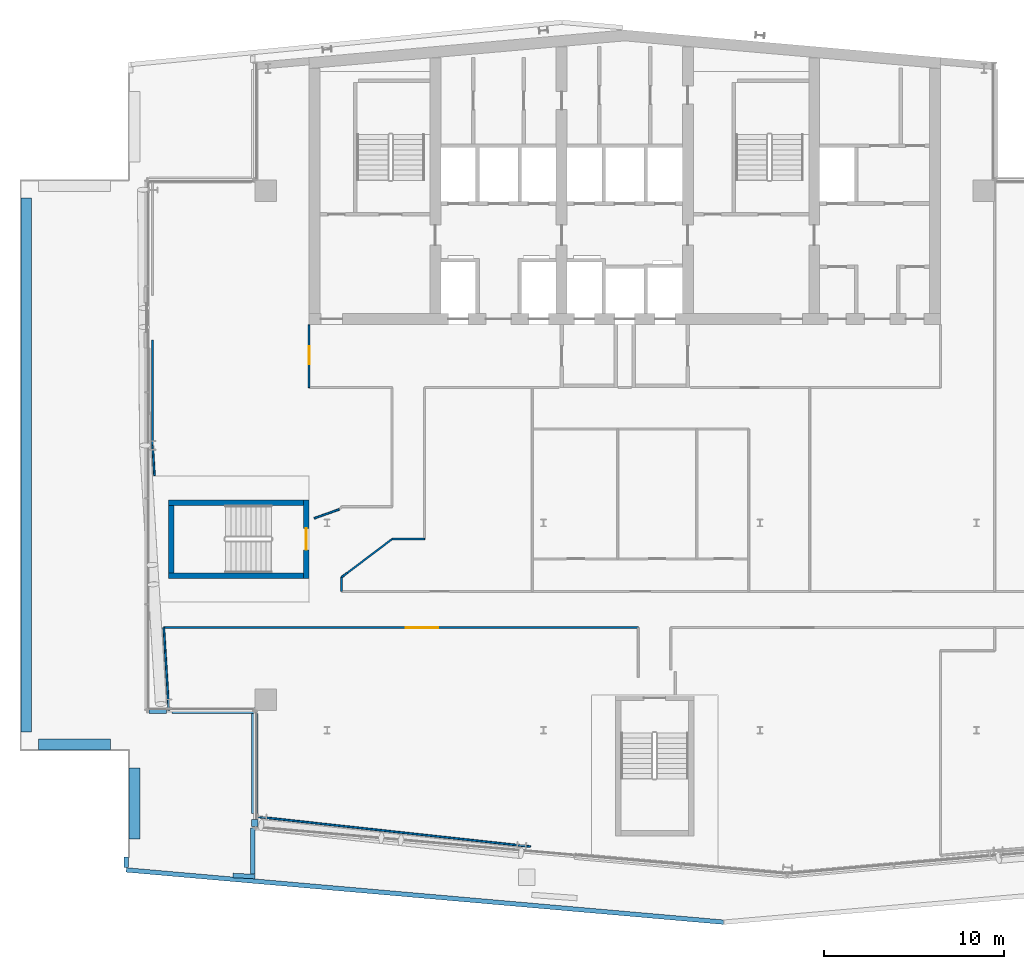
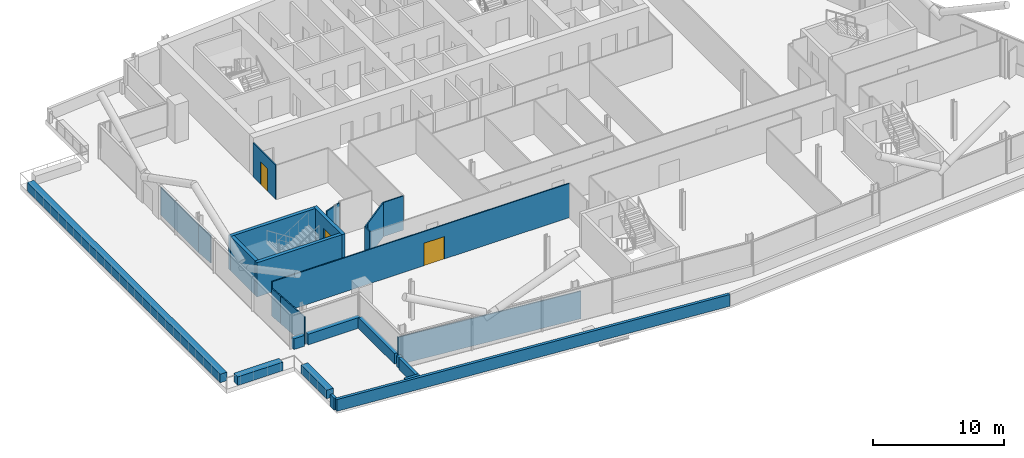
# One storey, part 12 of 27: 27 walls, 3 doors, 3 openings.
"""IFC4 building model written with IfcOpenShell, lengths in metres."""

from ifc_helpers import new_model, si_unit, direction, frame, frame_2d, origin, place, context, subcontext, project, spatial, rectangle, extrude, material, layer, layer_set, type_object, element, fill, save


model = new_model("IFC4")

# Units and contexts
model_context = context("Model", 3, precision=1e-05, world=origin(), true_north=direction((0.0, 1.0)))
body_context = subcontext(model_context, "Body", "Model", "MODEL_VIEW")
ifc_project = project(units=[si_unit("LENGTHUNIT", "METRE"), si_unit("AREAUNIT", "SQUARE_METRE"), si_unit("VOLUMEUNIT", "CUBIC_METRE"), si_unit("PLANEANGLEUNIT", "RADIAN"), si_unit("MASSUNIT", "GRAM", prefix="KILO")], contexts=[model_context])

# Site, building, storey
site_placement = place(None, origin())
site = spatial("IfcSite", under=ifc_project, at=site_placement, CompositionType="ELEMENT")
building_placement = place(site_placement, origin())
building = spatial("IfcBuilding", under=site, at=building_placement, Name="Wharfspan Tower", CompositionType="ELEMENT")
storey_placement = place(building_placement, frame((0.0, 0.0, 207.100098)))
storey = spatial("IfcBuildingStorey", under=building, at=storey_placement, Name="L51", CompositionType="ELEMENT", Elevation=207.100098)

# Wall, opening, door
ifc_material_1 = material(Name="Gypsum board on steel studs", Category="steel")
ifc_layer_1 = layer(ifc_material_1, 0.100098)
ifc_layer_set_1 = layer_set([ifc_layer_1], Name="Gypsum board on steel studs")
wall_type_1 = type_object("IfcWallType", Name="Compartment wall 100 EI 60", PredefinedType="PARTITIONING", material=ifc_layer_set_1)
wall_1_placement = place(storey_placement, frame((14.945068, 17.195068, 0.0), z_axis=(0.0, 0.0, 1.0), x_axis=(1.0, 0.0, 0.0)))
wall_1 = element("IfcWall", 1, at=wall_1_placement, inside=storey, type_object=wall_type_1, Name="Partition L51.w004", PredefinedType="PARTITIONING", context=body_context, shape_type="SweptSolid", body=[
    extrude(rectangle(XDim=26.304932, YDim=0.100098, at=frame_2d((13.152344, 0.0))), origin(), (0.0, 0.0, 1.0), 3.199951),
])
opening_1_placement = place(wall_1_placement, frame((13.419922, 0.0, 0.0)))
opening_1 = element("IfcOpeningElement", 2, at=opening_1_placement, cuts=wall_1, Name="Opening D1-01", PredefinedType="OPENING", context=body_context, shape_type="SweptSolid", body=[
    extrude(rectangle(XDim=1.800049, YDim=2.100098, at=frame_2d((0.899902, 1.050049))), frame((0.0, 0.060059, 0.0), z_axis=(0.0, -1.0, 0.0), x_axis=(1.0, 0.0, 0.0)), (0.0, 0.0, 1.0), 0.120117),
])
ifc_material_2 = material(Name="Fire-rated timber door leaf in steel frame", Category="steel")
door_type_1 = type_object("IfcDoorType", Name="Door 1800 FD30S Double", OperationType="DOUBLE_DOOR_SINGLE_SWING", PredefinedType="DOOR", material=ifc_material_2)
door_1_placement = place(opening_1_placement, origin())
door_1 = element("IfcDoor", 3, at=door_1_placement, inside=storey, type_object=door_type_1, Name="Door D1-01", OperationType="DOUBLE_DOOR_SINGLE_SWING", OverallHeight=2.100098, OverallWidth=1.800049, PredefinedType="DOOR", context=body_context, shape_type="SweptSolid", body=[
    extrude(rectangle(XDim=1.800049, YDim=2.100098, at=frame_2d((0.899902, 1.050049))), frame((0.0, 0.024902, 0.0), z_axis=(0.0, -1.0, 0.0), x_axis=(1.0, 0.0, 0.0)), (0.0, 0.0, 1.0), 0.050049),
])
fill(opening_1, door_1)

# Wall
wall_2_placement = place(storey_placement, frame((15.024902, 15.915039, 0.0), z_axis=(0.0, 0.0, 1.0), x_axis=(-0.062248, 0.998062, 0.0)))
element("IfcWall", 4, at=wall_2_placement, inside=storey, type_object=wall_type_1, Name="Partition L51.w005", PredefinedType="PARTITIONING", context=body_context, shape_type="SweptSolid", body=[
    extrude(rectangle(XDim=1.282471, YDim=0.100098, at=frame_2d((0.641113, 0.0))), origin(), (0.0, 0.0, 1.0), 2.579834),
])

# Wall, opening, door
wall_3_placement = place(storey_placement, frame((23.0, 30.5, 0.0), z_axis=(0.0, 0.0, 1.0), x_axis=(0.0, 1.0, 0.0)))
wall_3 = element("IfcWall", 5, at=wall_3_placement, inside=storey, type_object=wall_type_1, Name="Partition L51.w007", PredefinedType="PARTITIONING", context=body_context, shape_type="SweptSolid", body=[
    extrude(rectangle(XDim=3.47998, YDim=0.100098, at=frame_2d((1.73999, 0.0))), origin(), (0.0, 0.0, 1.0), 3.199951),
])
opening_2_placement = place(wall_3_placement, frame((1.280029, 0.0, 0.0)))
opening_2 = element("IfcOpeningElement", 6, at=opening_2_placement, cuts=wall_3, Name="Opening D1-14", PredefinedType="OPENING", context=body_context, shape_type="SweptSolid", body=[
    extrude(rectangle(XDim=1.0, YDim=2.100098, at=frame_2d((0.5, 1.050049))), frame((0.0, 0.060059, 0.0), z_axis=(0.0, -1.0, 0.0), x_axis=(1.0, 0.0, 0.0)), (0.0, 0.0, 1.0), 0.120117),
])
door_type_2 = type_object("IfcDoorType", Name="Door 1000 FD30S Right", OperationType="SINGLE_SWING_RIGHT", PredefinedType="DOOR", material=ifc_material_2)
door_2_placement = place(opening_2_placement, origin())
door_2 = element("IfcDoor", 7, at=door_2_placement, inside=storey, type_object=door_type_2, Name="Door D1-14", OperationType="SINGLE_SWING_RIGHT", OverallHeight=2.100098, OverallWidth=1.0, PredefinedType="DOOR", context=body_context, shape_type="SweptSolid", body=[
    extrude(rectangle(XDim=1.0, YDim=2.100098, at=frame_2d((0.5, 1.050049))), frame((0.0, 0.024902, 0.0), z_axis=(0.0, -1.0, 0.0), x_axis=(1.0, 0.0, 0.0)), (0.0, 0.0, 1.0), 0.050049),
])
fill(opening_2, door_2)

# Walls
wall_4_placement = place(storey_placement, frame((23.284912, 23.25, 0.0), z_axis=(0.0, 0.0, 1.0), x_axis=(0.940585, 0.339559, 0.0)))
element("IfcWall", 8, at=wall_4_placement, inside=storey, type_object=wall_type_1, Name="Partition L51.w009", PredefinedType="PARTITIONING", context=body_context, shape_type="SweptSolid", body=[
    extrude(rectangle(XDim=1.472412, YDim=0.100098, at=frame_2d((0.736328, 0.0))), origin(), (0.0, 0.0, 1.0), 3.199951),
])
wall_5_placement = place(storey_placement, frame((24.800049, 19.205078, 0.0), z_axis=(0.0, 0.0, 1.0), x_axis=(0.0, 1.0, 0.0)))
element("IfcWall", 9, at=wall_5_placement, inside=storey, type_object=wall_type_1, Name="Partition L51.w011", PredefinedType="PARTITIONING", context=body_context, shape_type="SweptSolid", body=[
    extrude(rectangle(XDim=0.774902, YDim=0.100098, at=frame_2d((0.387451, 0.0))), origin(), (0.0, 0.0, 1.0), 3.199951),
])
wall_6_placement = place(storey_placement, frame((24.800049, 19.985107, 0.0), z_axis=(0.0, 0.0, 1.0), x_axis=(0.795388, 0.606098, 0.0)))
element("IfcWall", 10, at=wall_6_placement, inside=storey, type_object=wall_type_1, Name="Partition L51.w012", PredefinedType="PARTITIONING", context=body_context, shape_type="SweptSolid", body=[
    extrude(rectangle(XDim=0.395996, YDim=0.100098, at=frame_2d((0.197998, 0.0))), origin(), (0.0, 0.0, 1.0), 3.199951),
])
wall_7_placement = place(storey_placement, frame((25.125, 20.22998, 0.0), z_axis=(0.0, 0.0, 1.0), x_axis=(0.797858, 0.60284, 0.0)))
element("IfcWall", 11, at=wall_7_placement, inside=storey, type_object=wall_type_1, Name="Partition L51.w015", PredefinedType="PARTITIONING", context=body_context, shape_type="SweptSolid", body=[
    extrude(rectangle(XDim=3.102051, YDim=0.100098, at=frame_2d((1.551025, 0.0))), origin(), (0.0, 0.0, 1.0), 3.199951),
])
wall_8_placement = place(storey_placement, frame((27.600098, 22.100098, 0.0), z_axis=(0.0, 0.0, 1.0), x_axis=(1.0, 0.0, 0.0)))
element("IfcWall", 12, at=wall_8_placement, inside=storey, type_object=wall_type_1, Name="Partition L51.w017", PredefinedType="PARTITIONING", context=body_context, shape_type="SweptSolid", body=[
    extrude(rectangle(XDim=1.799805, YDim=0.100098, at=frame_2d((0.899902, 0.0))), origin(), (0.0, 0.0, 1.0), 3.199951),
])
ifc_material_3 = material(Name="Concrete C40/50", Category="concrete")
ifc_layer_2 = layer(ifc_material_3, 0.25)
ifc_layer_set_2 = layer_set([ifc_layer_2], Name="Concrete C40/50")
wall_type_2 = type_object("IfcWallType", Name="PARAPET CONCRETE 250", PredefinedType="PARAPET", material=ifc_layer_set_2)
wall_9_placement = place(storey_placement, frame((45.970215, 0.86499, 0.0), z_axis=(0.0, 0.0, 1.0), x_axis=(-0.996194, 0.087159, 0.0)))
element("IfcWall", 13, at=wall_9_placement, inside=storey, type_object=wall_type_2, Name="Ledge parapet", PredefinedType="PARAPET", context=body_context, shape_type="SweptSolid", body=[
    extrude(rectangle(XDim=33.232178, YDim=0.25, at=frame_2d((16.616211, 0.0))), origin(), (0.0, 0.0, 1.0), 1.099854),
])
wall_10_placement = place(storey_placement, frame((18.773193, 3.455322, 0.0), z_axis=(0.0, 0.0, 1.0), x_axis=(0.998698, -0.051088, 0.0)))
element("IfcWall", 14, at=wall_10_placement, inside=storey, type_object=wall_type_2, Name="Ledge parapet", PredefinedType="PARAPET", context=body_context, shape_type="SweptSolid", body=[
    extrude(rectangle(XDim=1.228271, YDim=0.25, at=frame_2d((0.614258, 0.0))), origin(), (0.0, 0.0, 1.0), 1.099854),
])
wall_11_placement = place(storey_placement, frame((19.875, 3.53418, 0.0), z_axis=(0.0, 0.0, 1.0), x_axis=(0.0, 1.0, 0.0)))
element("IfcWall", 15, at=wall_11_placement, inside=storey, type_object=wall_type_2, Name="Ledge parapet", PredefinedType="PARAPET", context=body_context, shape_type="SweptSolid", body=[
    extrude(rectangle(XDim=2.540771, YDim=0.25, at=frame_2d((1.270508, 0.0))), origin(), (0.0, 0.0, 1.0), 1.099854),
])
wall_12_placement = place(storey_placement, frame((12.875, 3.88501, 0.0), z_axis=(0.0, 0.0, 1.0), x_axis=(0.0, 1.0, 0.0)))
element("IfcWall", 16, at=wall_12_placement, inside=storey, type_object=wall_type_2, Name="Ledge parapet", PredefinedType="PARAPET", context=body_context, shape_type="SweptSolid", body=[
    extrude(rectangle(XDim=0.590088, YDim=0.25, at=frame_2d((0.294922, 0.0))), origin(), (0.0, 0.0, 1.0), 1.099854),
])
ifc_layer_3 = layer(ifc_material_3, 0.600098)
ifc_layer_set_3 = layer_set([ifc_layer_3], Name="Concrete C40/50")
wall_type_3 = type_object("IfcWallType", Name="PLANTER CONCRETE 600", PredefinedType="SOLIDWALL", material=ifc_layer_set_3)
wall_13_placement = place(storey_placement, frame((13.320068, 5.475098, 0.0), z_axis=(0.0, 0.0, 1.0), x_axis=(0.0, 1.0, 0.0)))
element("IfcWall", 17, at=wall_13_placement, inside=storey, type_object=wall_type_3, Name="Planter", PredefinedType="SOLIDWALL", context=body_context, shape_type="SweptSolid", body=[
    extrude(rectangle(XDim=3.924805, YDim=0.600098, at=frame_2d((1.962402, 0.0))), origin(), (0.0, 0.0, 1.0), 0.799805),
])
wall_14_placement = place(storey_placement, frame((12.0, 10.719971, 0.0), z_axis=(0.0, 0.0, 1.0), x_axis=(-1.0, 0.0, 0.0)))
element("IfcWall", 18, at=wall_14_placement, inside=storey, type_object=wall_type_3, Name="Planter", PredefinedType="SOLIDWALL", context=body_context, shape_type="SweptSolid", body=[
    extrude(rectangle(XDim=4.0, YDim=0.600098, at=frame_2d((2.0, 0.0))), origin(), (0.0, 0.0, 1.0), 0.799805),
])
wall_15_placement = place(storey_placement, frame((7.320068, 11.399902, 0.0), z_axis=(0.0, 0.0, 1.0), x_axis=(0.0, 1.0, 0.0)))
element("IfcWall", 19, at=wall_15_placement, inside=storey, type_object=wall_type_3, Name="Planter", PredefinedType="SOLIDWALL", context=body_context, shape_type="SweptSolid", body=[
    extrude(rectangle(XDim=29.600098, YDim=0.600098, at=frame_2d((14.800049, 0.0))), origin(), (0.0, 0.0, 1.0), 0.799805),
])
ifc_layer_4 = layer(ifc_material_1, 0.100098)
ifc_layer_set_4 = layer_set([ifc_layer_4], Name="Gypsum board on steel studs")
wall_type_4 = type_object("IfcWallType", Name="Partition 100", PredefinedType="PARTITIONING", material=ifc_layer_set_4)
wall_16_placement = place(storey_placement, frame((14.324951, 33.129883, 0.0), z_axis=(0.0, 0.0, 1.0), x_axis=(0.0, -1.0, 0.0)))
element("IfcWall", 20, at=wall_16_placement, inside=storey, type_object=wall_type_4, Name="Partition L51.w001", PredefinedType="PARTITIONING", context=body_context, shape_type="SweptSolid", body=[
    extrude(rectangle(XDim=5.829834, YDim=0.100098, at=frame_2d((2.915039, 0.0))), origin(), (0.0, 0.0, 1.0), 2.579834),
])
wall_17_placement = place(storey_placement, frame((14.428711, 25.620117, 0.0), z_axis=(0.0, 0.0, 1.0), x_axis=(-0.061647, 0.998101, 0.0)))
element("IfcWall", 21, at=wall_17_placement, inside=storey, type_object=wall_type_4, Name="Partition L51.w003", PredefinedType="PARTITIONING", context=body_context, shape_type="SweptSolid", body=[
    extrude(rectangle(XDim=1.683105, YDim=0.100098, at=frame_2d((0.841553, 0.0))), origin(), (0.0, 0.0, 1.0), 2.579834),
])
wall_18_placement = place(storey_placement, frame((15.223877, 12.620117, 0.0), z_axis=(0.0, 0.0, 1.0), x_axis=(-0.060278, 0.998178, 0.0)))
element("IfcWall", 22, at=wall_18_placement, inside=storey, type_object=wall_type_4, Name="Partition L51.w006", PredefinedType="PARTITIONING", context=body_context, shape_type="SweptSolid", body=[
    extrude(rectangle(XDim=3.301025, YDim=0.100098, at=frame_2d((1.650391, 0.0))), origin(), (0.0, 0.0, 1.0), 2.579834),
])
wall_19_placement = place(storey_placement, frame((35.274902, 5.054932, 0.0), z_axis=(0.0, 0.0, 1.0), x_axis=(-0.994114, 0.108368, 0.0)))
element("IfcWall", 23, at=wall_19_placement, inside=storey, type_object=wall_type_4, Name="Partition L51.w020", PredefinedType="PARTITIONING", context=body_context, shape_type="SweptSolid", body=[
    extrude(rectangle(XDim=15.335449, YDim=0.100098, at=frame_2d((7.667725, 0.0))), origin(), (0.0, 0.0, 1.0), 2.579834),
])
ifc_layer_5 = layer(ifc_material_3, 0.350098)
ifc_layer_set_5 = layer_set([ifc_layer_5], Name="Concrete C40/50")
wall_type_5 = type_object("IfcWallType", Name="SPANDREL EXPOSED CONCRETE 350", PredefinedType="SOLIDWALL", material=ifc_layer_set_5)
wall_20_placement = place(storey_placement, frame((14.120117, 12.594971, 0.0), z_axis=(0.0, 0.0, 1.0), x_axis=(1.0, 0.0, 0.0)))
element("IfcWall", 24, at=wall_20_placement, inside=storey, type_object=wall_type_5, Name="Spandrel upstand L51 NFW-H", PredefinedType="SOLIDWALL", context=body_context, shape_type="SweptSolid", body=[
    extrude(rectangle(XDim=0.9646, YDim=0.350098, at=frame_2d((0.482422, 0.0))), origin(), (0.0, 0.0, 1.0), 1.0),
])
wall_21_placement = place(storey_placement, frame((15.390625, 12.594971, 0.0), z_axis=(0.0, 0.0, 1.0), x_axis=(1.0, 0.0, 0.0)))
element("IfcWall", 25, at=wall_21_placement, inside=storey, type_object=wall_type_5, Name="Spandrel upstand L51 NFW-H 2", PredefinedType="SOLIDWALL", context=body_context, shape_type="SweptSolid", body=[
    extrude(rectangle(XDim=4.609375, YDim=0.350098, at=frame_2d((2.304688, 0.0))), origin(), (0.0, 0.0, 1.0), 1.0),
])
wall_22_placement = place(storey_placement, frame((19.995117, 12.419922, 0.0), z_axis=(0.0, 0.0, 1.0), x_axis=(0.0, -1.0, 0.0)))
element("IfcWall", 26, at=wall_22_placement, inside=storey, type_object=wall_type_5, Name="Spandrel upstand L51 NFW-V", PredefinedType="SOLIDWALL", context=body_context, shape_type="SweptSolid", body=[
    extrude(rectangle(XDim=5.542236, YDim=0.350098, at=frame_2d((2.770996, 0.0))), origin(), (0.0, 0.0, 1.0), 1.0),
])
wall_23_placement = place(storey_placement, frame((19.995117, 6.568359, 0.0), z_axis=(0.0, 0.0, 1.0), x_axis=(0.0, -1.0, 0.0)))
element("IfcWall", 27, at=wall_23_placement, inside=storey, type_object=wall_type_5, Name="Spandrel upstand L51 NFW-V 2", PredefinedType="SOLIDWALL", context=body_context, shape_type="SweptSolid", body=[
    extrude(rectangle(XDim=0.393555, YDim=0.350098, at=frame_2d((0.196777, 0.0))), origin(), (0.0, 0.0, 1.0), 1.0),
])

# Wall, opening, door
ifc_layer_6 = layer(ifc_material_3, 0.300049)
ifc_layer_set_6 = layer_set([ifc_layer_6], Name="Concrete C40/50")
wall_type_6 = type_object("IfcWallType", Name="Stair core wall 300", PredefinedType="SHEAR", material=ifc_layer_set_6)
wall_24_placement = place(storey_placement, frame((22.850098, 19.925049, 0.0), z_axis=(0.0, 0.0, 1.0), x_axis=(0.0, 1.0, 0.0)))
wall_24 = element("IfcWall", 28, at=wall_24_placement, inside=storey, type_object=wall_type_6, Name="ST3 stair enclosure wall L51", PredefinedType="SHEAR", context=body_context, shape_type="SweptSolid", body=[
    extrude(rectangle(XDim=4.349854, YDim=0.300049, at=frame_2d((2.174805, 0.0))), origin(), (0.0, 0.0, 1.0), 3.199951),
])
opening_3_placement = place(wall_24_placement, frame((1.574951, 0.0, 0.0)))
opening_3 = element("IfcOpeningElement", 29, at=opening_3_placement, cuts=wall_24, Name="Opening SD3.L51", PredefinedType="OPENING", context=body_context, shape_type="SweptSolid", body=[
    extrude(rectangle(XDim=1.199951, YDim=2.100098, at=frame_2d((0.600098, 1.050049))), frame((0.0, 0.159912, 0.0), z_axis=(0.0, -1.0, 0.0), x_axis=(1.0, 0.0, 0.0)), (0.0, 0.0, 1.0), 0.320068),
])
ifc_material_4 = material(Name="Steel door leaf", Category="steel")
door_type_3 = type_object("IfcDoorType", Name="Stair door 1200x2100", OperationType="SINGLE_SWING_LEFT", PredefinedType="DOOR", material=ifc_material_4)
door_3_placement = place(opening_3_placement, origin())
door_3 = element("IfcDoor", 30, at=door_3_placement, inside=storey, type_object=door_type_3, Name="sd:L51:ST3z4", OperationType="SINGLE_SWING_RIGHT", OverallHeight=2.100098, OverallWidth=1.199951, PredefinedType="DOOR", context=body_context, shape_type="SweptSolid", body=[
    extrude(rectangle(XDim=1.199951, YDim=2.100098, at=frame_2d((0.600098, 1.050049))), frame((0.0, 0.024902, 0.0), z_axis=(0.0, -1.0, 0.0), x_axis=(1.0, 0.0, 0.0)), (0.0, 0.0, 1.0), 0.050049),
])
fill(opening_3, door_3)

# Walls
for number, where, z_axis, x_axis, name in (
    (31, (15.199951, 20.074951, 0.0), (0.0, 0.0, 1.0), (1.0, 0.0, 0.0), "ST3 stair enclosure wall L51"),
    (32, (15.199951, 24.125, 0.0), (0.0, 0.0, 1.0), (1.0, 0.0, 0.0), "ST3 stair enclosure wall L51"),
):
    element("IfcWall", number, at=place(storey_placement, frame(where, z_axis=z_axis, x_axis=x_axis)), inside=storey, type_object=wall_type_6, Name=name, PredefinedType="SHEAR", context=body_context, shape_type="SweptSolid", body=[
        extrude(rectangle(XDim=7.5, YDim=0.300049, at=frame_2d((3.75, 0.0))), origin(), (0.0, 0.0, 1.0), 3.199951),
    ])
wall_25_placement = place(storey_placement, frame((15.350098, 20.225098, 0.0), z_axis=(0.0, 0.0, 1.0), x_axis=(0.0, 1.0, 0.0)))
element("IfcWall", 33, at=wall_25_placement, inside=storey, type_object=wall_type_6, Name="ST3 stair enclosure wall L51", PredefinedType="SHEAR", context=body_context, shape_type="SweptSolid", body=[
    extrude(rectangle(XDim=3.75, YDim=0.300049, at=frame_2d((1.875, 0.0))), origin(), (0.0, 0.0, 1.0), 3.199951),
])

save(model, "model.ifc")
